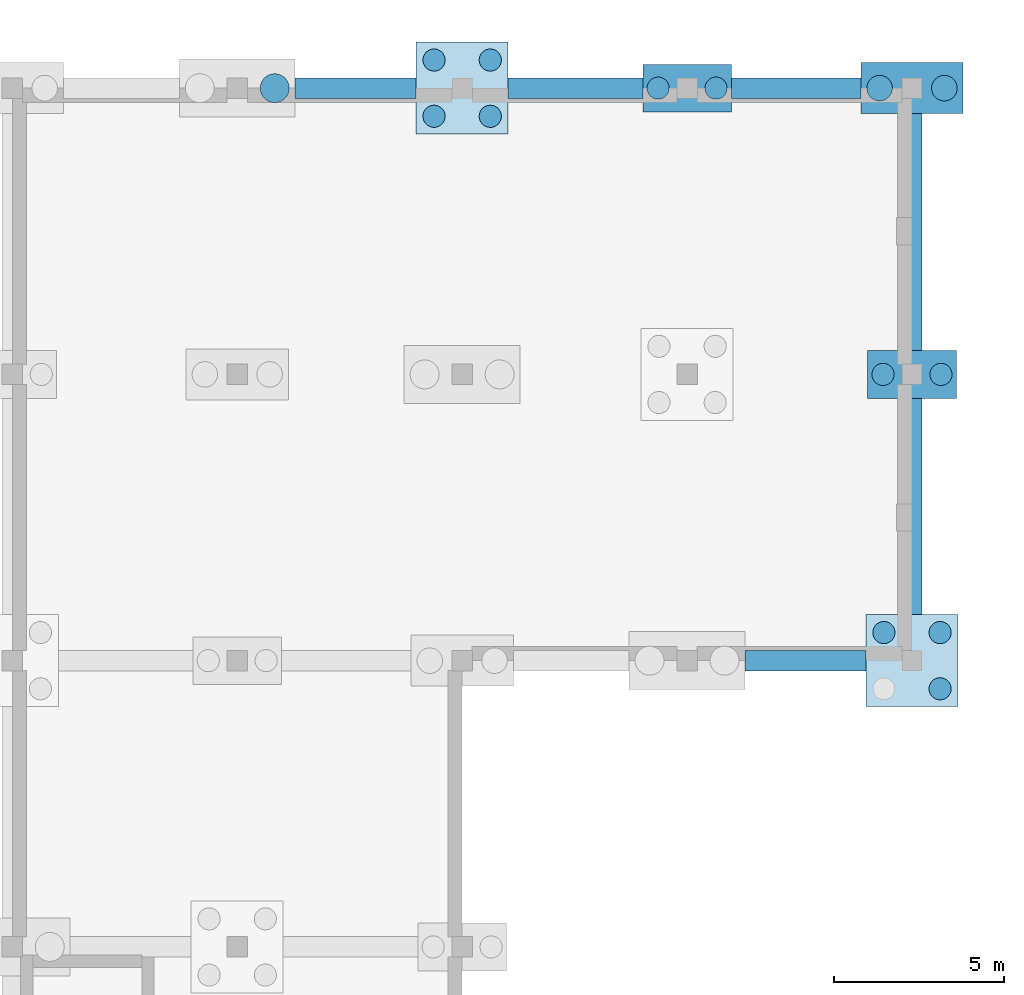
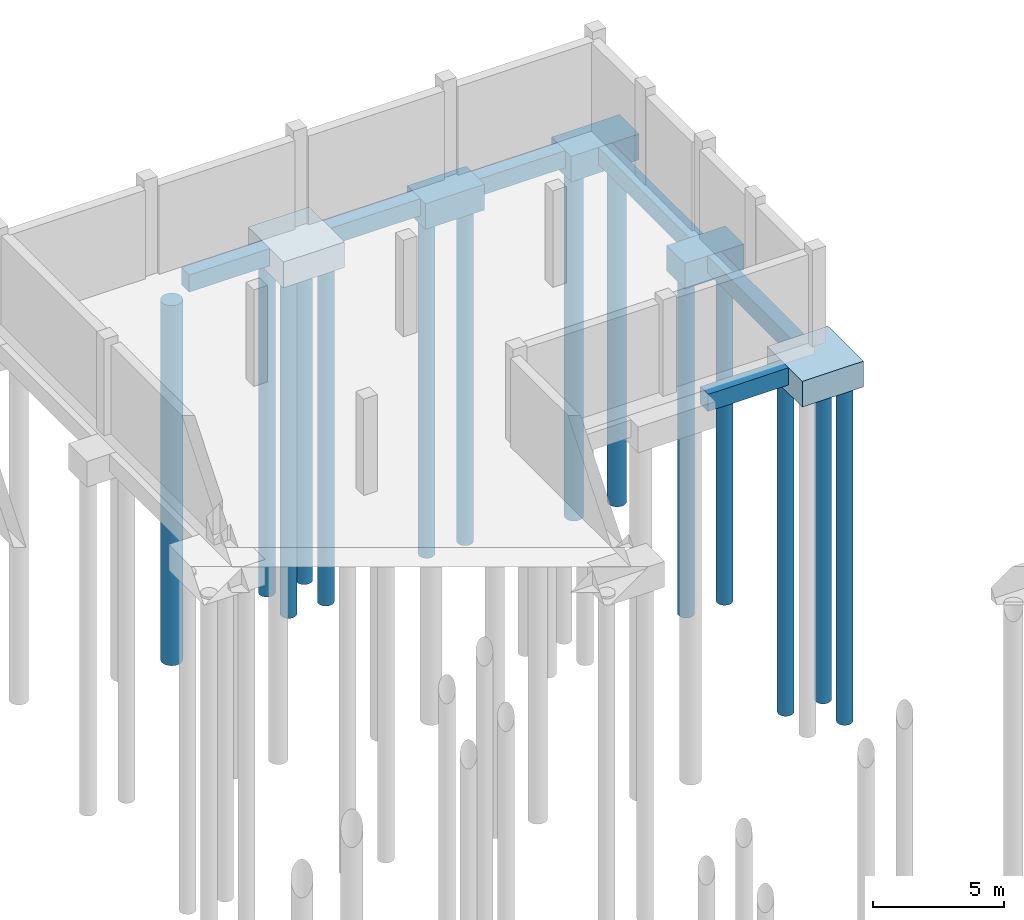
# One storey, part 9 of 25: 14 piles, 11 footings.
"""IFC4 building model written with IfcOpenShell, lengths in metres."""

import ifcopenshell
import ifcopenshell.guid

model = None  # the IFC model being written
_history = None  # IfcOwnerHistory: only IFC2X3 demands one
_inside = {}  # id of a spatial element -> (the spatial element, [elements in it])
_under = {}  # id of a project, library or spatial element -> (it, [spatial elements below it])
_declared = {}  # id of a project -> (the project, [libraries it declares])
_typed = {}  # id of a type object -> (the type object, [elements of that type])
_made_of = {}  # id of a material, layer set ... -> (it, [elements and type objects made of it])


def new_model(schema):
    """Start an empty IFC model of exactly this schema.

    Asked for "IFC4X3", IfcOpenShell would pick the latest addendum, in which some entities
    have other attributes; the version numbers below select the first issue.
    IFC2X3 requires an IfcOwnerHistory on every rooted entity: one is made here for all.
    """
    global model, _history
    if schema == "IFC4X3":
        model = ifcopenshell.file(schema_version=(4, 3, 0, 0))
    else:
        model = ifcopenshell.file(schema=schema)
    _inside.clear()
    _under.clear()
    _declared.clear()
    _typed.clear()
    _made_of.clear()
    _history = None
    if model.schema == "IFC2X3":
        org = make("IfcOrganization", Name="unknown")
        user = make(
            "IfcPersonAndOrganization",
            ThePerson=make("IfcPerson", FamilyName="unknown"),
            TheOrganization=org,
        )
        app = make(
            "IfcApplication",
            ApplicationDeveloper=org,
            Version="unknown",
            ApplicationFullName="unknown",
            ApplicationIdentifier="unknown",
        )
        _history = make(
            "IfcOwnerHistory",
            OwningUser=user,
            OwningApplication=app,
            ChangeAction="ADDED",
            CreationDate=0,
        )
    return model


def make(cls, **values):
    """One entity of the class cls with the attributes given. An attribute that is None is left unset."""
    return model.create_entity(
        cls, **{name: value for name, value in values.items() if value is not None}
    )


def rooted(cls, **values):
    """An entity with a GlobalId (a new one), such as an element, a storey or a relation."""
    return make(cls, GlobalId=ifcopenshell.guid.new(), OwnerHistory=_history, **values)


def si_unit(unit_type, name, prefix=None):
    """IfcSIUnit, for example si_unit("LENGTHUNIT", "METRE", prefix="MILLI")."""
    return make("IfcSIUnit", UnitType=unit_type, Prefix=prefix, Name=name)


def assignment(units):
    """IfcUnitAssignment: the units of a project."""
    return None if units is None else make("IfcUnitAssignment", Units=units)


def point(xyz):
    """IfcCartesianPoint."""
    return None if xyz is None else make("IfcCartesianPoint", Coordinates=xyz)


def direction(xyz):
    """IfcDirection."""
    return None if xyz is None else make("IfcDirection", DirectionRatios=xyz)


def frame(location, z_axis=None, x_axis=None):
    """IfcAxis2Placement3D, a coordinate frame: its origin and axes. An axis left out is left unset."""
    return make(
        "IfcAxis2Placement3D",
        Location=point(location),
        Axis=direction(z_axis),
        RefDirection=direction(x_axis),
    )


def frame_2d(location, x_axis=None):
    """IfcAxis2Placement2D, a coordinate frame in the plane: its origin and x axis."""
    return make(
        "IfcAxis2Placement2D", Location=point(location), RefDirection=direction(x_axis)
    )


def origin():
    """The frame at (0, 0, 0) with its axes left unset."""
    return frame((0.0, 0.0, 0.0))


def origin_2d():
    """The frame at (0, 0) in the plane with its x axis left unset."""
    return frame_2d((0.0, 0.0))


def place(relative_to, where):
    """IfcLocalPlacement: puts the frame where relative to a parent placement (None: the world)."""
    return make(
        "IfcLocalPlacement", PlacementRelTo=relative_to, RelativePlacement=where
    )


def context(
    kind, dimensions, precision=None, world=None, true_north=None, identifier=None
):
    """IfcGeometricRepresentationContext, for example the 3D "Model" context."""
    return make(
        "IfcGeometricRepresentationContext",
        ContextIdentifier=identifier,
        ContextType=kind,
        CoordinateSpaceDimension=dimensions,
        Precision=precision,
        WorldCoordinateSystem=world,
        TrueNorth=true_north,
    )


def subcontext(parent, identifier, kind, view, scale=None):
    """IfcGeometricRepresentationSubContext, for example "Body" below "Model"."""
    return make(
        "IfcGeometricRepresentationSubContext",
        ContextIdentifier=identifier,
        ContextType=kind,
        ParentContext=parent,
        TargetScale=scale,
        TargetView=view,
    )


def project(units=None, contexts=None):
    """IfcProject with its units and contexts."""
    return rooted(
        "IfcProject",
        Name="project",
        RepresentationContexts=contexts,
        UnitsInContext=assignment(units),
    )


def spatial(cls, under=None, at=None, **own):
    """A site, building, storey or space (cls), placed at a placement, below another one or the project."""
    s = rooted(cls, ObjectPlacement=at, **own)
    if under is not None:
        _under.setdefault(under.id(), (under, []))[1].append(s)
    return s


def profile(cls, at=None, kind="AREA", **sizes):
    """A parametric profile (cls). Its sizes go by their IFC names, for example OverallWidth=200.0."""
    return make(cls, ProfileType=kind, Position=at, **sizes)


def rectangle(**sizes):
    """IfcRectangleProfileDef."""
    return profile("IfcRectangleProfileDef", **sizes)


def circle(**sizes):
    """IfcCircleProfileDef."""
    return profile("IfcCircleProfileDef", **sizes)


def extrude(swept, where, along, depth):
    """IfcExtrudedAreaSolid: the profile swept, set in the frame where, extruded along a direction by depth."""
    return make(
        "IfcExtrudedAreaSolid",
        SweptArea=swept,
        Position=where,
        ExtrudedDirection=direction(along),
        Depth=depth,
    )


def shape(context_of_items, identifier, shape_type, items):
    """IfcShapeRepresentation: the items that make up one representation, for example the "Body"."""
    return make(
        "IfcShapeRepresentation",
        ContextOfItems=context_of_items,
        RepresentationIdentifier=identifier,
        RepresentationType=shape_type,
        Items=items,
    )


def material(Name=None, Category=None):
    """IfcMaterial."""
    return make("IfcMaterial", Name=Name, Category=Category)


def layer(
    of_material, thickness, ventilated=None, Name=None, Category=None, Priority=None
):
    """IfcMaterialLayer: one layer of a wall or slab, of a material (None: an air gap)."""
    return make(
        "IfcMaterialLayer",
        Material=of_material,
        LayerThickness=thickness,
        IsVentilated=ventilated,
        Name=Name,
        Category=Category,
        Priority=Priority,
    )


def layer_set(layers, Name=None):
    """IfcMaterialLayerSet."""
    return make("IfcMaterialLayerSet", MaterialLayers=layers, LayerSetName=Name)


def material_profile(
    of_material, cross_section, Name=None, Category=None, Priority=None
):
    """IfcMaterialProfile: a cross section and its material."""
    return make(
        "IfcMaterialProfile",
        Name=Name,
        Material=of_material,
        Profile=cross_section,
        Priority=Priority,
        Category=Category,
    )


def profile_set(profiles, Name=None, composite=None):
    """IfcMaterialProfileSet."""
    return make(
        "IfcMaterialProfileSet",
        Name=Name,
        MaterialProfiles=profiles,
        CompositeProfile=composite,
    )


def made_of(thing, what):
    """Note that an element or type object is made of a material, layer set ...; save() writes the relation."""
    if what is not None:
        _made_of.setdefault(what.id(), (what, []))[1].append(thing)
    return thing


def type_object(cls, material=None, **own):
    """A type object (cls), such as IfcWallType, which elements share."""
    return made_of(rooted(cls, **own), material)


def element(
    cls,
    number,
    at=None,
    inside=None,
    cuts=None,
    type_object=None,
    material=None,
    context=None,
    identifier="Body",
    shape_type=None,
    held_by="IfcProductDefinitionShape",
    body=None,
    shapes=None,
    **own,
):
    """One element of the class cls, such as IfcWall. Its Tag is "e" and its number.

    at: its placement. inside: the storey or other place that contains it. cuts: it is an
    opening in that element (IfcRelVoidsElement). A single representation is given by context,
    identifier, shape_type and body (its items); several are given by shapes. held_by: the class
    of the entity that holds the representations. save() writes the other relations.
    """
    e = rooted(cls, Tag="e%d" % number, ObjectPlacement=at, **own)
    if body is not None:
        shapes = [shape(context, identifier, shape_type, body)]
    if shapes is not None:
        e.Representation = make(held_by, Representations=shapes)
    if inside is not None:
        _inside.setdefault(inside.id(), (inside, []))[1].append(e)
    if cuts is not None:
        rooted(
            "IfcRelVoidsElement", RelatingBuildingElement=cuts, RelatedOpeningElement=e
        )
    if type_object is not None:
        _typed.setdefault(type_object.id(), (type_object, []))[1].append(e)
    return made_of(e, material)


def aggregate(whole, parts):
    """IfcRelAggregates: a whole, such as a stair, and the parts it consists of."""
    return rooted("IfcRelAggregates", RelatingObject=whole, RelatedObjects=parts)


def save(model, path):
    """Write the relations noted so far, then the file.

    IfcRelAggregates (storeys below a building ...), IfcRelContainedInSpatialStructure (elements
    in a storey), IfcRelDefinesByType, IfcRelAssociatesMaterial and IfcRelDeclares: one each for
    every whole, place, type object, material and project.
    """
    for whole, parts in _under.values():
        aggregate(whole, parts)
    for where, things in _inside.values():
        rooted(
            "IfcRelContainedInSpatialStructure",
            RelatedElements=things,
            RelatingStructure=where,
        )
    for kind, things in _typed.values():
        rooted("IfcRelDefinesByType", RelatedObjects=things, RelatingType=kind)
    for what, things in _made_of.values():
        rooted("IfcRelAssociatesMaterial", RelatedObjects=things, RelatingMaterial=what)
    for by, libraries in _declared.values():
        rooted("IfcRelDeclares", RelatingContext=by, RelatedDefinitions=libraries)
    model.write(path)


model = new_model("IFC4")

# Units and contexts
model_context = context("Model", 3, precision=1e-05, world=origin(), true_north=direction((0.0, 1.0)))
body_context = subcontext(model_context, "Body", "Model", "MODEL_VIEW")
ifc_project = project(units=[si_unit("LENGTHUNIT", "METRE"), si_unit("AREAUNIT", "SQUARE_METRE"), si_unit("VOLUMEUNIT", "CUBIC_METRE"), si_unit("PLANEANGLEUNIT", "RADIAN"), si_unit("MASSUNIT", "GRAM", prefix="KILO")], contexts=[model_context])

# Site, building, storey
site_placement = place(None, origin())
site = spatial("IfcSite", under=ifc_project, at=site_placement, CompositionType="ELEMENT")
building_placement = place(site_placement, origin())
building = spatial("IfcBuilding", under=site, at=building_placement, Name="Qaldarim Faculty of Natural and Applied Sciences", CompositionType="ELEMENT")
storey_placement = place(building_placement, frame((0.0, 0.0, -4.5)))
storey = spatial("IfcBuildingStorey", under=building, at=storey_placement, Name="B01", CompositionType="ELEMENT", Elevation=-4.5)

# Piles
ifc_material = material(Name="Concrete C40/50", Category="concrete")
ifc_material_profile_1 = material_profile(ifc_material, circle(Radius=0.324951171875, at=origin_2d()), Name="PILE-D650")
ifc_profile_set_1 = profile_set([ifc_material_profile_1], Name="Concrete C40/50")
pile_type_1 = type_object("IfcPileType", Name="BoredPile-D650-L15800", PredefinedType="BORED", material=ifc_profile_set_1)
for number, where, z_axis, x_axis, name in (
    (1, (164.175048828125, 116.77490234375, -1.699951171875), (0.0, 0.0, -1.0), (1.0, 0.0, 0.0), "Bored pile PL01 1 under FTG-PC04-X26Y15"),
    (2, (164.175048828125, 118.425048828125, -1.699951171875), (0.0, 0.0, -1.0), (1.0, 0.0, 0.0), "Bored pile PL01 2 under FTG-PC04-X26Y15"),
    (3, (165.824951171875, 116.77490234375, -1.699951171875), (0.0, 0.0, -1.0), (1.0, 0.0, 0.0), "Bored pile PL01 3 under FTG-PC04-X26Y15"),
    (4, (165.824951171875, 118.425048828125, -1.699951171875), (0.0, 0.0, -1.0), (1.0, 0.0, 0.0), "Bored pile PL01 4 under FTG-PC04-X26Y15"),
    (5, (170.75, 117.60009765625, -1.699951171875), (0.0, 0.0, -1.0), (1.0, 0.0, 0.0), "Bored pile PL01 1 under FTG-PC01-X27Y15"),
    (6, (172.449951171875, 117.60009765625, -1.699951171875), (0.0, 0.0, -1.0), (1.0, 0.0, 0.0), "Bored pile PL01 2 under FTG-PC01-X27Y15"),
    (7, (177.375, 101.625, -1.699951171875), (0.0, 0.0, -1.0), (1.0, 0.0, 0.0), "Bored pile PL01 2 under FTG-PC04-X28Y13"),
    (8, (179.02490234375, 99.97509765625, -1.699951171875), (0.0, 0.0, -1.0), (1.0, 0.0, 0.0), "Bored pile PL01 3 under FTG-PC04-X28Y13"),
    (9, (179.02490234375, 101.625, -1.699951171875), (0.0, 0.0, -1.0), (1.0, 0.0, 0.0), "Bored pile PL01 4 under FTG-PC04-X28Y13"),
    (10, (177.35009765625, 109.199951171875, -1.699951171875), (0.0, 0.0, -1.0), (1.0, 0.0, 0.0), "Bored pile PL01 1 under FTG-PC01-X28Y14"),
    (11, (179.050048828125, 109.199951171875, -1.699951171875), (0.0, 0.0, -1.0), (1.0, 0.0, 0.0), "Bored pile PL01 2 under FTG-PC01-X28Y14"),
):
    element("IfcPile", number, at=place(storey_placement, frame(where, z_axis=z_axis, x_axis=x_axis)), inside=storey, type_object=pile_type_1, Name=name, PredefinedType="BORED", context=body_context, shape_type="SweptSolid", body=[
        extrude(circle(Radius=0.324951171875, at=origin_2d()), origin(), (0.0, 0.0, 1.0), 15.800048828125),
    ])
ifc_material_profile_2 = material_profile(ifc_material, circle(Radius=0.375, at=origin_2d()), Name="PILE-D750")
ifc_profile_set_2 = profile_set([ifc_material_profile_2], Name="Concrete C40/50")
pile_type_2 = type_object("IfcPileType", Name="BoredPile-D750-L16300", PredefinedType="BORED", material=ifc_profile_set_2)
for number, where, z_axis, x_axis, name in (
    (12, (177.25, 117.60009765625, -1.699951171875), (0.0, 0.0, -1.0), (1.0, 0.0, 0.0), "Bored pile PL02 1 under FTG-PC02-X28Y15"),
    (13, (179.14990234375, 117.60009765625, -1.699951171875), (0.0, 0.0, -1.0), (1.0, 0.0, 0.0), "Bored pile PL02 2 under FTG-PC02-X28Y15"),
):
    element("IfcPile", number, at=place(storey_placement, frame(where, z_axis=z_axis, x_axis=x_axis)), inside=storey, type_object=pile_type_2, Name=name, PredefinedType="BORED", context=body_context, shape_type="SweptSolid", body=[
        extrude(circle(Radius=0.375, at=origin_2d()), origin(), (0.0, 0.0, 1.0), 16.300048828125),
    ])
ifc_material_profile_3 = material_profile(ifc_material, circle(Radius=0.425048828125, at=origin_2d()), Name="PILE-D850")
ifc_profile_set_3 = profile_set([ifc_material_profile_3], Name="Concrete C40/50")
pile_type_3 = type_object("IfcPileType", Name="BoredPile-D850-L16800", PredefinedType="BORED", material=ifc_profile_set_3)
pile_placement = place(storey_placement, frame((159.5, 117.60009765625, -1.699951171875), z_axis=(0.0, 0.0, -1.0), x_axis=(1.0, 0.0, 0.0)))
element("IfcPile", 14, at=pile_placement, inside=storey, type_object=pile_type_3, Name="Bored pile PL03 2 under FTG-PC03-X25Y15", PredefinedType="BORED", context=body_context, shape_type="SweptSolid", body=[
    extrude(circle(Radius=0.425048828125, at=origin_2d()), origin(), (0.0, 0.0, 1.0), 16.800048828125),
])

# Footings
ifc_layer_1 = layer(ifc_material, 1.199951171875)
ifc_layer_set_1 = layer_set([ifc_layer_1], Name="Concrete C40/50")
footing_type_1 = type_object("IfcFootingType", Name="FoundationCap-2600x1400x1200-2P650", PredefinedType="PILE_CAP", material=ifc_layer_set_1)
for number, where, z_axis, x_axis, name in (
    (15, (171.60009765625, 117.60009765625, -1.7998046875), (0.0, 0.0, 1.0), (1.0, 0.0, 0.0), "Pile cap PC01 at X27/Y15"),
    (16, (178.199951171875, 109.199951171875, -1.7998046875), (0.0, 0.0, 1.0), (1.0, 0.0, 0.0), "Pile cap PC01 at X28/Y14"),
):
    element("IfcFooting", number, at=place(storey_placement, frame(where, z_axis=z_axis, x_axis=x_axis)), inside=storey, type_object=footing_type_1, Name=name, PredefinedType="PILE_CAP", context=body_context, shape_type="SweptSolid", body=[
        extrude(rectangle(XDim=2.60009765625, YDim=1.39990234375, at=origin_2d()), origin(), (0.0, 0.0, 1.0), 1.199951171875),
    ])
ifc_layer_2 = layer(ifc_material, 1.199951171875)
ifc_layer_set_2 = layer_set([ifc_layer_2], Name="Concrete C40/50")
footing_type_2 = type_object("IfcFootingType", Name="FoundationCap-2700x2700x1200-4P650", PredefinedType="PILE_CAP", material=ifc_layer_set_2)
for number, where, z_axis, x_axis, name in (
    (17, (165.0, 117.60009765625, -1.7998046875), (0.0, 0.0, 1.0), (1.0, 0.0, 0.0), "Pile cap PC04 at X26/Y15"),
    (18, (178.199951171875, 100.800048828125, -1.7998046875), (0.0, 0.0, 1.0), (1.0, 0.0, 0.0), "Pile cap PC04 at X28/Y13"),
):
    element("IfcFooting", number, at=place(storey_placement, frame(where, z_axis=z_axis, x_axis=x_axis)), inside=storey, type_object=footing_type_2, Name=name, PredefinedType="PILE_CAP", context=body_context, shape_type="SweptSolid", body=[
        extrude(rectangle(XDim=2.699951171875, YDim=2.699951171875, at=origin_2d()), origin(), (0.0, 0.0, 1.0), 1.199951171875),
    ])
ifc_layer_3 = layer(ifc_material, 1.199951171875)
ifc_layer_set_3 = layer_set([ifc_layer_3], Name="Concrete C40/50")
footing_type_3 = type_object("IfcFootingType", Name="FoundationCap-3000x1500x1200-2P750", PredefinedType="PILE_CAP", material=ifc_layer_set_3)
footing_1_placement = place(storey_placement, frame((178.199951171875, 117.60009765625, -1.7998046875), z_axis=(0.0, 0.0, 1.0), x_axis=(1.0, 0.0, 0.0)))
element("IfcFooting", 19, at=footing_1_placement, inside=storey, type_object=footing_type_3, Name="Pile cap PC02 at X28/Y15", PredefinedType="PILE_CAP", context=body_context, shape_type="SweptSolid", body=[
    extrude(rectangle(XDim=3.0, YDim=1.5, at=origin_2d()), origin(), (0.0, 0.0, 1.0), 1.199951171875),
])
ifc_layer_4 = layer(ifc_material, 0.800048828125)
ifc_layer_set_4 = layer_set([ifc_layer_4], Name="Concrete C40/50")
footing_type_4 = type_object("IfcFootingType", Name="FoundationTie-3550x600x800", PredefinedType="STRIP_FOOTING", material=ifc_layer_set_4)
for number, where, z_axis, x_axis, name in (
    (20, (161.875, 117.60009765625, -1.39990234375), (0.0, 0.0, 1.0), (1.0, 0.0, 0.0), "Strip footing SF01 X25Y15"),
    (21, (175.074951171875, 100.800048828125, -1.39990234375), (0.0, 0.0, 1.0), (1.0, 0.0, 0.0), "Strip footing SF01 X27Y13"),
):
    element("IfcFooting", number, at=place(storey_placement, frame(where, z_axis=z_axis, x_axis=x_axis)), inside=storey, type_object=footing_type_4, Name=name, PredefinedType="STRIP_FOOTING", context=body_context, shape_type="SweptSolid", body=[
        extrude(rectangle(XDim=3.550048828125, YDim=0.60009765625, at=origin_2d()), origin(), (0.0, 0.0, 1.0), 0.800048828125),
    ])
ifc_layer_5 = layer(ifc_material, 0.800048828125)
ifc_layer_set_5 = layer_set([ifc_layer_5], Name="Concrete C40/50")
footing_type_5 = type_object("IfcFootingType", Name="FoundationTie-3800x600x800", PredefinedType="STRIP_FOOTING", material=ifc_layer_set_5)
footing_2_placement = place(storey_placement, frame((174.800048828125, 117.60009765625, -1.39990234375), z_axis=(0.0, 0.0, 1.0), x_axis=(1.0, 0.0, 0.0)))
element("IfcFooting", 22, at=footing_2_placement, inside=storey, type_object=footing_type_5, Name="Strip footing SF07 X27Y15", PredefinedType="STRIP_FOOTING", context=body_context, shape_type="SweptSolid", body=[
    extrude(rectangle(XDim=3.800048828125, YDim=0.60009765625, at=origin_2d()), origin(), (0.0, 0.0, 1.0), 0.800048828125),
])
ifc_layer_6 = layer(ifc_material, 0.800048828125)
ifc_layer_set_6 = layer_set([ifc_layer_6], Name="Concrete C40/50")
footing_type_6 = type_object("IfcFootingType", Name="FoundationTie-3950x600x800", PredefinedType="STRIP_FOOTING", material=ifc_layer_set_6)
footing_3_placement = place(storey_placement, frame((168.324951171875, 117.60009765625, -1.39990234375), z_axis=(0.0, 0.0, 1.0), x_axis=(1.0, 0.0, 0.0)))
element("IfcFooting", 23, at=footing_3_placement, inside=storey, type_object=footing_type_6, Name="Strip footing SF06 X26Y15", PredefinedType="STRIP_FOOTING", context=body_context, shape_type="SweptSolid", body=[
    extrude(rectangle(XDim=3.949951171875, YDim=0.60009765625, at=origin_2d()), origin(), (0.0, 0.0, 1.0), 0.800048828125),
])
ifc_layer_7 = layer(ifc_material, 0.800048828125)
ifc_layer_set_7 = layer_set([ifc_layer_7], Name="Concrete C40/50")
footing_type_7 = type_object("IfcFootingType", Name="FoundationTie-6350x600x800", PredefinedType="STRIP_FOOTING", material=ifc_layer_set_7)
footing_4_placement = place(storey_placement, frame((178.199951171875, 105.324951171875, -1.39990234375), z_axis=(0.0, 0.0, 1.0), x_axis=(0.0, 1.0, 0.0)))
element("IfcFooting", 24, at=footing_4_placement, inside=storey, type_object=footing_type_7, Name="Strip footing SF03 X28Y13", PredefinedType="STRIP_FOOTING", context=body_context, shape_type="SweptSolid", body=[
    extrude(rectangle(XDim=6.35009765625, YDim=0.60009765625, at=origin_2d()), origin(), (0.0, 0.0, 1.0), 0.800048828125),
])
ifc_layer_8 = layer(ifc_material, 0.800048828125)
ifc_layer_set_8 = layer_set([ifc_layer_8], Name="Concrete C40/50")
footing_type_8 = type_object("IfcFootingType", Name="FoundationTie-6950x600x800", PredefinedType="STRIP_FOOTING", material=ifc_layer_set_8)
footing_5_placement = place(storey_placement, frame((178.199951171875, 113.375, -1.39990234375), z_axis=(0.0, 0.0, 1.0), x_axis=(0.0, 1.0, 0.0)))
element("IfcFooting", 25, at=footing_5_placement, inside=storey, type_object=footing_type_8, Name="Strip footing SF04 X28Y14", PredefinedType="STRIP_FOOTING", context=body_context, shape_type="SweptSolid", body=[
    extrude(rectangle(XDim=6.949951171875, YDim=0.60009765625, at=origin_2d()), origin(), (0.0, 0.0, 1.0), 0.800048828125),
])

save(model, "model.ifc")
